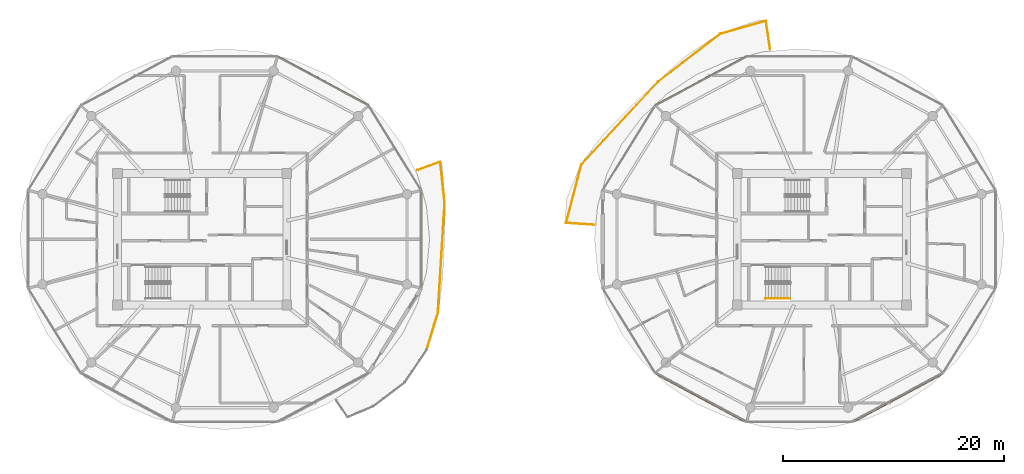
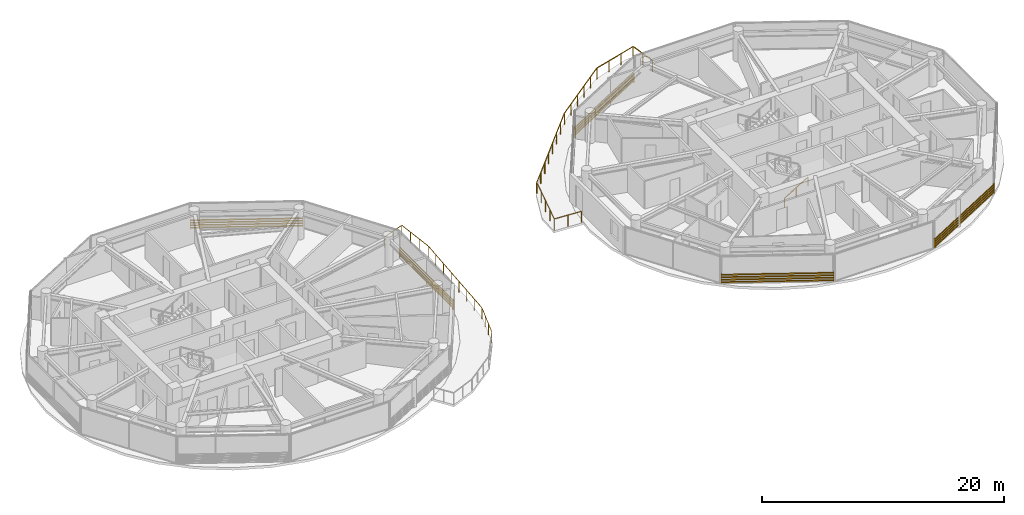
# One storey, part 21 of 22: 5 shading devices, 4 railings.
"""IFC4 building model written with IfcOpenShell, lengths in metres."""

from ifc_helpers import new_model, si_unit, direction, frame, origin, origin_2d, place, context, subcontext, project, spatial, rectangle, extrude, source, transform, mapped, material, type_object, type_shapes, element, save


model = new_model("IFC4")

# Units and contexts
model_context = context("Model", 3, precision=1e-05, world=origin(), true_north=direction((0.0, 1.0)))
body_context = subcontext(model_context, "Body", "Model", "MODEL_VIEW")
ifc_project = project(units=[si_unit("LENGTHUNIT", "METRE"), si_unit("AREAUNIT", "SQUARE_METRE"), si_unit("VOLUMEUNIT", "CUBIC_METRE"), si_unit("PLANEANGLEUNIT", "RADIAN"), si_unit("MASSUNIT", "GRAM", prefix="KILO")], contexts=[model_context])

# Site, building, storey
site_placement = place(None, origin())
site = spatial("IfcSite", under=ifc_project, at=site_placement, CompositionType="ELEMENT")
building_placement = place(site_placement, origin())
building = spatial("IfcBuilding", under=site, at=building_placement, Name="Norrkilde Senior Care Towers", CompositionType="ELEMENT")
storey_placement = place(building_placement, frame((0.0, 0.0, 120.64990234375)))
storey = spatial("IfcBuildingStorey", under=building, at=storey_placement, Name="L37", CompositionType="ELEMENT", Elevation=120.64990234375)

# Railings
ifc_material_1 = material(Name="Anodised Aluminium", Category="aluminium")
railing_type_1 = type_object("IfcRailingType", Name="Balcony Swirl Ribbon Guardrail 1150", PredefinedType="GUARDRAIL", material=ifc_material_1)
railing_1_placement = place(storey_placement, frame((6.274658203125, 6.767333984375, 0.0)))
element("IfcRailing", 1, at=railing_1_placement, inside=storey, type_object=railing_type_1, Name="L37 Perimeter Safety Guard 01", PredefinedType="GUARDRAIL", context=body_context, shape_type="SweptSolid", body=[
    extrude(rectangle(XDim=0.048095703125, YDim=0.048095703125, at=origin_2d()), frame((0.0, 0.0, 1.1259765625), z_axis=(0.680490514807, 0.732756889601, 0.0), x_axis=(-0.732756889601, 0.680490514807, 0.0)), (0.0, 0.0, 1.0), 10.1748046875),
    extrude(rectangle(XDim=0.048095703125, YDim=0.048095703125, at=origin_2d()), frame((6.984130859375, 7.510498046875, 1.1259765625), z_axis=(0.792873317416, 0.609386496838, 0.0), x_axis=(-0.609386496838, 0.792873317416, 0.0)), (0.0, 0.0, 1.0), 6.978271484375),
    extrude(rectangle(XDim=0.048095703125, YDim=0.048095703125, at=origin_2d()), frame((12.588623046875, 11.799072265625, 1.1259765625), z_axis=(0.9617388568, 0.273967828989, 0.0), x_axis=(-0.273967828989, 0.9617388568, 0.0)), (0.0, 0.0, 1.0), 4.19921875),
    extrude(rectangle(XDim=0.048095703125, YDim=0.048095703125, at=origin_2d()), frame((16.672607421875, 12.920166015625, 1.1259765625), z_axis=(0.146804939768, -0.989165461214, 0.0), x_axis=(0.989165461214, 0.146804939768, 0.0)), (0.0, 0.0, 1.0), 2.54833984375),
    extrude(rectangle(XDim=0.0419921875, YDim=0.0419921875, at=origin_2d()), origin(), (0.0, 0.0, 1.0), 1.099853515625),
    extrude(rectangle(XDim=0.0419921875, YDim=0.0419921875, at=origin_2d()), frame((0.9931640625, 1.0693359375, 0.0)), (0.0, 0.0, 1.0), 1.099853515625),
    extrude(rectangle(XDim=0.0419921875, YDim=0.0419921875, at=origin_2d()), frame((1.986083984375, 2.138671875, 0.0)), (0.0, 0.0, 1.0), 1.099853515625),
    extrude(rectangle(XDim=0.0419921875, YDim=0.0419921875, at=origin_2d()), frame((2.979248046875, 3.2080078125, 0.0)), (0.0, 0.0, 1.0), 1.099853515625),
    extrude(rectangle(XDim=0.0419921875, YDim=0.0419921875, at=origin_2d()), frame((3.972412109375, 4.277587890625, 0.0)), (0.0, 0.0, 1.0), 1.099853515625),
    extrude(rectangle(XDim=0.0419921875, YDim=0.0419921875, at=origin_2d()), frame((4.965576171875, 5.346923828125, 0.0)), (0.0, 0.0, 1.0), 1.099853515625),
    extrude(rectangle(XDim=0.0419921875, YDim=0.0419921875, at=origin_2d()), frame((5.95849609375, 6.416259765625, 0.0)), (0.0, 0.0, 1.0), 1.099853515625),
    extrude(rectangle(XDim=0.0419921875, YDim=0.0419921875, at=origin_2d()), frame((6.95166015625, 7.485595703125, 0.0)), (0.0, 0.0, 1.0), 1.099853515625),
    extrude(rectangle(XDim=0.0419921875, YDim=0.0419921875, at=origin_2d()), frame((8.0712890625, 8.345947265625, 0.0)), (0.0, 0.0, 1.0), 1.099853515625),
    extrude(rectangle(XDim=0.0419921875, YDim=0.0419921875, at=origin_2d()), frame((9.190673828125, 9.20654296875, 0.0)), (0.0, 0.0, 1.0), 1.099853515625),
    extrude(rectangle(XDim=0.0419921875, YDim=0.0419921875, at=origin_2d()), frame((10.310302734375, 10.06689453125, 0.0)), (0.0, 0.0, 1.0), 1.099853515625),
    extrude(rectangle(XDim=0.0419921875, YDim=0.0419921875, at=origin_2d()), frame((11.4296875, 10.927490234375, 0.0)), (0.0, 0.0, 1.0), 1.099853515625),
    extrude(rectangle(XDim=0.0419921875, YDim=0.0419921875, at=origin_2d()), frame((12.54931640625, 11.787841796875, 0.0)), (0.0, 0.0, 1.0), 1.099853515625),
    extrude(rectangle(XDim=0.0419921875, YDim=0.0419921875, at=origin_2d()), frame((13.921630859375, 12.1787109375, 0.0)), (0.0, 0.0, 1.0), 1.099853515625),
    extrude(rectangle(XDim=0.0419921875, YDim=0.0419921875, at=origin_2d()), frame((15.294189453125, 12.56982421875, 0.0)), (0.0, 0.0, 1.0), 1.099853515625),
    extrude(rectangle(XDim=0.0419921875, YDim=0.0419921875, at=origin_2d()), frame((16.66650390625, 12.960693359375, 0.0)), (0.0, 0.0, 1.0), 1.099853515625),
    extrude(rectangle(XDim=0.0419921875, YDim=0.0419921875, at=origin_2d()), frame((16.8564453125, 11.68017578125, 0.0)), (0.0, 0.0, 1.0), 1.099853515625),
    extrude(rectangle(XDim=0.0419921875, YDim=0.0419921875, at=origin_2d()), frame((17.046630859375, 10.3994140625, 0.0)), (0.0, 0.0, 1.0), 1.099853515625),
])
railing_2_placement = place(storey_placement, frame((7.392333984375, 1.30908203125, 0.0)))
element("IfcRailing", 2, at=railing_2_placement, inside=storey, type_object=railing_type_1, Name="L37 Perimeter Safety Guard 02", PredefinedType="GUARDRAIL", context=body_context, shape_type="SweptSolid", body=[
    extrude(rectangle(XDim=0.048095703125, YDim=0.048095703125, at=origin_2d()), frame((0.0, 0.0, 1.1259765625), z_axis=(-0.997816890544, 0.066041297269, 0.0), x_axis=(-0.066041297269, -0.997816890544, 0.0)), (0.0, 0.0, 1.0), 2.46923828125),
    extrude(rectangle(XDim=0.048095703125, YDim=0.048095703125, at=origin_2d()), frame((-2.494384765625, 0.205322265625, 1.1259765625), z_axis=(0.253502561029, 0.967334715366, 0.0), x_axis=(-0.967334715366, 0.253502561029, 0.0)), (0.0, 0.0, 1.0), 5.430419921875),
    extrude(rectangle(XDim=0.0419921875, YDim=0.0419921875, at=origin_2d()), origin(), (0.0, 0.0, 1.0), 1.099853515625),
    extrude(rectangle(XDim=0.0419921875, YDim=0.0419921875, at=origin_2d()), frame((-1.25244140625, 0.0830078125, 0.0)), (0.0, 0.0, 1.0), 1.099853515625),
    extrude(rectangle(XDim=0.0419921875, YDim=0.0419921875, at=origin_2d()), frame((-2.504638671875, 0.165771484375, 0.0)), (0.0, 0.0, 1.0), 1.099853515625),
    extrude(rectangle(XDim=0.0419921875, YDim=0.0419921875, at=origin_2d()), frame((-2.157958984375, 1.48876953125, 0.0)), (0.0, 0.0, 1.0), 1.099853515625),
    extrude(rectangle(XDim=0.0419921875, YDim=0.0419921875, at=origin_2d()), frame((-1.81103515625, 2.81201171875, 0.0)), (0.0, 0.0, 1.0), 1.099853515625),
    extrude(rectangle(XDim=0.0419921875, YDim=0.0419921875, at=origin_2d()), frame((-1.46435546875, 4.13525390625, 0.0)), (0.0, 0.0, 1.0), 1.099853515625),
    extrude(rectangle(XDim=0.0419921875, YDim=0.0419921875, at=origin_2d()), frame((-1.11767578125, 5.458251953125, 0.0)), (0.0, 0.0, 1.0), 1.099853515625),
])
railing_3_placement = place(storey_placement, frame((-8.54443359375, 6.24169921875, 0.0)))
element("IfcRailing", 3, at=railing_3_placement, inside=storey, type_object=railing_type_1, Name="L37 Perimeter Safety Guard 04", PredefinedType="GUARDRAIL", context=body_context, shape_type="SweptSolid", body=[
    extrude(rectangle(XDim=0.048095703125, YDim=0.048095703125, at=origin_2d()), frame((0.0, 0.0, 1.1259765625), z_axis=(0.939829147866, 0.341644805054, 0.0), x_axis=(-0.341644805054, 0.939829147866, 0.0)), (0.0, 0.0, 1.0), 2.153564453125),
    extrude(rectangle(XDim=0.048095703125, YDim=0.048095703125, at=origin_2d()), frame((2.06689453125, 0.709228515625, 1.1259765625), z_axis=(0.10838231965, -0.994109286139, 0.0), x_axis=(0.994109286139, 0.10838231965, 0.0)), (0.0, 0.0, 1.0), 3.619140625),
    extrude(rectangle(XDim=0.048095703125, YDim=0.048095703125, at=origin_2d()), frame((2.461181640625, -2.97021484375, 1.1259765625), z_axis=(-0.061240106433, -0.998123063236, 0.0), x_axis=(0.998123063236, -0.061240106433, 0.0)), (0.0, 0.0, 1.0), 9.880859375),
    extrude(rectangle(XDim=0.048095703125, YDim=0.048095703125, at=origin_2d()), frame((1.841796875, -12.912353515625, 1.1259765625), z_axis=(-0.289574813175, -0.957155383193, 0.0), x_axis=(0.957155383193, -0.289574813175, 0.0)), (0.0, 0.0, 1.0), 3.468017578125),
    extrude(rectangle(XDim=0.0419921875, YDim=0.0419921875, at=origin_2d()), origin(), (0.0, 0.0, 1.0), 1.099853515625),
    extrude(rectangle(XDim=0.0419921875, YDim=0.0419921875, at=origin_2d()), frame((1.03125, 0.375, 0.0)), (0.0, 0.0, 1.0), 1.099853515625),
    extrude(rectangle(XDim=0.0419921875, YDim=0.0419921875, at=origin_2d()), frame((2.0625, 0.749755859375, 0.0)), (0.0, 0.0, 1.0), 1.099853515625),
    extrude(rectangle(XDim=0.0419921875, YDim=0.0419921875, at=origin_2d()), frame((2.1962890625, -0.4765625, 0.0)), (0.0, 0.0, 1.0), 1.099853515625),
    extrude(rectangle(XDim=0.0419921875, YDim=0.0419921875, at=origin_2d()), frame((2.329833984375, -1.703125, 0.0)), (0.0, 0.0, 1.0), 1.099853515625),
    extrude(rectangle(XDim=0.0419921875, YDim=0.0419921875, at=origin_2d()), frame((2.463623046875, -2.929443359375, 0.0)), (0.0, 0.0, 1.0), 1.099853515625),
    extrude(rectangle(XDim=0.0419921875, YDim=0.0419921875, at=origin_2d()), frame((2.37646484375, -4.35009765625, 0.0)), (0.0, 0.0, 1.0), 1.099853515625),
    extrude(rectangle(XDim=0.0419921875, YDim=0.0419921875, at=origin_2d()), frame((2.289306640625, -5.7705078125, 0.0)), (0.0, 0.0, 1.0), 1.099853515625),
    extrude(rectangle(XDim=0.0419921875, YDim=0.0419921875, at=origin_2d()), frame((2.2021484375, -7.191162109375, 0.0)), (0.0, 0.0, 1.0), 1.099853515625),
    extrude(rectangle(XDim=0.0419921875, YDim=0.0419921875, at=origin_2d()), frame((2.114990234375, -8.611572265625, 0.0)), (0.0, 0.0, 1.0), 1.099853515625),
    extrude(rectangle(XDim=0.0419921875, YDim=0.0419921875, at=origin_2d()), frame((2.02783203125, -10.0322265625, 0.0)), (0.0, 0.0, 1.0), 1.099853515625),
    extrude(rectangle(XDim=0.0419921875, YDim=0.0419921875, at=origin_2d()), frame((1.940673828125, -11.45263671875, 0.0)), (0.0, 0.0, 1.0), 1.099853515625),
    extrude(rectangle(XDim=0.0419921875, YDim=0.0419921875, at=origin_2d()), frame((1.853515625, -12.873291015625, 0.0)), (0.0, 0.0, 1.0), 1.099853515625),
    extrude(rectangle(XDim=0.0419921875, YDim=0.0419921875, at=origin_2d()), frame((1.514892578125, -13.992919921875, 0.0)), (0.0, 0.0, 1.0), 1.099853515625),
    extrude(rectangle(XDim=0.0419921875, YDim=0.0419921875, at=origin_2d()), frame((1.176025390625, -15.1123046875, 0.0)), (0.0, 0.0, 1.0), 1.099853515625),
    extrude(rectangle(XDim=0.0419921875, YDim=0.0419921875, at=origin_2d()), frame((0.83740234375, -16.23193359375, 0.0)), (0.0, 0.0, 1.0), 1.099853515625),
])
ifc_material_2 = material(Name="Nordic Ash Timber", Category="wood")
railing_type_2 = type_object("IfcRailingType", Name="Wall and Stair Handrail 900", PredefinedType="HANDRAIL", material=ifc_material_2)
railing_4_placement = place(storey_placement, frame((22.89990234375, -5.35009765625, 0.16943359375)))
element("IfcRailing", 4, at=railing_4_placement, inside=storey, type_object=railing_type_2, Name="L37 ST-E2 stair handrail 1", PredefinedType="HANDRAIL", context=body_context, shape_type="SweptSolid", body=[
    extrude(rectangle(XDim=0.048095703125, YDim=0.048095703125, at=origin_2d()), frame((0.0, 0.0, 0.8759765625), z_axis=(0.855512035549, 0.0, 0.517782924622), x_axis=(0.0, 1.0, 0.0)), (0.0, 0.0, 1.0), 2.618408203125),
    extrude(rectangle(XDim=0.0419921875, YDim=0.0419921875, at=origin_2d()), origin(), (0.0, 0.0, 1.0), 0.849853515625),
    extrude(rectangle(XDim=0.0419921875, YDim=0.0419921875, at=origin_2d()), frame((1.1201171875, 0.0, 0.677734375)), (0.0, 0.0, 1.0), 0.849853515625),
    extrude(rectangle(XDim=0.0419921875, YDim=0.0419921875, at=origin_2d()), frame((2.239990234375, 0.0, 1.355712890625)), (0.0, 0.0, 1.0), 0.849853515625),
])

# Shading devices
ifc_material_3 = material(Name="Architectural Terracotta", Category="masonry")
shading_device_type = type_object("IfcShadingDeviceType", Name="Horizontal Terracotta Baguette Rack", PredefinedType="USERDEFINED", material=ifc_material_3)
shared_shape_1 = source(origin(), body_context, "Body", "SweptSolid", [
    extrude(rectangle(XDim=0.070068359375, YDim=0.110107421875, at=origin_2d()), frame((0.0, 0.090087890625, 0.125), z_axis=(1.0, 0.0, 0.0), x_axis=(0.0, 1.0, 0.0)), (0.0, 0.0, 1.0), 9.3505859375),
    extrude(rectangle(XDim=0.070068359375, YDim=0.110107421875, at=origin_2d()), frame((0.0, 0.090087890625, 0.375), z_axis=(1.0, 0.0, 0.0), x_axis=(0.0, 1.0, 0.0)), (0.0, 0.0, 1.0), 9.3505859375),
    extrude(rectangle(XDim=0.070068359375, YDim=0.110107421875, at=origin_2d()), frame((0.0, 0.090087890625, 0.625), z_axis=(1.0, 0.0, 0.0), x_axis=(0.0, 1.0, 0.0)), (0.0, 0.0, 1.0), 9.3505859375),
    extrude(rectangle(XDim=0.070068359375, YDim=0.110107421875, at=origin_2d()), frame((0.0, 0.090087890625, 0.875), z_axis=(1.0, 0.0, 0.0), x_axis=(0.0, 1.0, 0.0)), (0.0, 0.0, 1.0), 9.3505859375),
    extrude(rectangle(XDim=0.050048828125, YDim=0.1552734375, at=origin_2d()), frame((0.02490234375, 0.047607421875, 0.0)), (0.0, 0.0, 1.0), 1.0),
    extrude(rectangle(XDim=0.050048828125, YDim=0.1552734375, at=origin_2d()), frame((9.32568359375, 0.047607421875, 0.0)), (0.0, 0.0, 1.0), 1.0),
])
for number, where, z_axis, x_axis, name in (
    (5, (-21.19287109375, 16.498046875, 0.080078125), (0.0, 0.0, 1.0), (0.881174934726, -0.472767624021, 0.0), "L37 Drum W Terracotta Baguette Screen 01"),
    (6, (12.953369140625, 12.077392578125, 0.080078125), (0.0, 0.0, 1.0), (0.881174934726, 0.472767624021, 0.0), "L37 Drum E Terracotta Baguette Screen 03"),
    (7, (21.19287109375, -16.498046875, 0.080078125), (0.0, 0.0, 1.0), (-0.881174934726, 0.472767624021, 0.0), "L37 Drum E Terracotta Baguette Screen 07"),
    (8, (38.946533203125, -12.077392578125, 0.080078125), (0.0, 0.0, 1.0), (-0.881174934726, -0.472767624021, 0.0), "L37 Drum E Terracotta Baguette Screen 09"),
):
    element("IfcShadingDevice", number, at=place(storey_placement, frame(where, z_axis=z_axis, x_axis=x_axis)), inside=storey, type_object=shading_device_type, Name=name, ObjectType="BAGUETTE", PredefinedType="USERDEFINED", context=body_context, shape_type="MappedRepresentation", body=[
        mapped(shared_shape_1, transform((0.0, 0.0, 0.0), x_axis=(1.0, 0.0, 0.0), y_axis=(0.0, 1.0, 0.0), z_axis=(0.0, 0.0, 1.0), scale=1.0)),
    ])
shared_shape_2 = source(origin(), body_context, "Body", "SweptSolid", [
    extrude(rectangle(XDim=0.070068359375, YDim=0.110107421875, at=origin_2d()), frame((0.0, 0.090087890625, 0.125), z_axis=(1.0, 0.0, 0.0), x_axis=(0.0, 1.0, 0.0)), (0.0, 0.0, 1.0), 8.84130859375),
    extrude(rectangle(XDim=0.070068359375, YDim=0.110107421875, at=origin_2d()), frame((0.0, 0.090087890625, 0.375), z_axis=(1.0, 0.0, 0.0), x_axis=(0.0, 1.0, 0.0)), (0.0, 0.0, 1.0), 8.84130859375),
    extrude(rectangle(XDim=0.070068359375, YDim=0.110107421875, at=origin_2d()), frame((0.0, 0.090087890625, 0.625), z_axis=(1.0, 0.0, 0.0), x_axis=(0.0, 1.0, 0.0)), (0.0, 0.0, 1.0), 8.84130859375),
    extrude(rectangle(XDim=0.070068359375, YDim=0.110107421875, at=origin_2d()), frame((0.0, 0.090087890625, 0.875), z_axis=(1.0, 0.0, 0.0), x_axis=(0.0, 1.0, 0.0)), (0.0, 0.0, 1.0), 8.84130859375),
    extrude(rectangle(XDim=0.050048828125, YDim=0.1552734375, at=origin_2d()), frame((0.02490234375, 0.047607421875, 0.0)), (0.0, 0.0, 1.0), 1.0),
    extrude(rectangle(XDim=0.050048828125, YDim=0.1552734375, at=origin_2d()), frame((8.81640625, 0.047607421875, 0.0)), (0.0, 0.0, 1.0), 1.0),
])
type_shapes(shading_device_type, [shared_shape_1, shared_shape_2])
shading_device_placement = place(storey_placement, frame((-8.1962890625, 4.420654296875, 0.080078125), z_axis=(0.0, 0.0, 1.0), x_axis=(0.0, -1.0, 0.0)))
element("IfcShadingDevice", 9, at=shading_device_placement, inside=storey, type_object=shading_device_type, Name="L37 Drum W Terracotta Baguette Screen 11", ObjectType="BAGUETTE", PredefinedType="USERDEFINED", context=body_context, shape_type="MappedRepresentation", body=[
    mapped(shared_shape_2, transform((0.0, 0.0, 0.0), x_axis=(1.0, 0.0, 0.0), y_axis=(0.0, 1.0, 0.0), z_axis=(0.0, 0.0, 1.0), scale=1.0)),
])

save(model, "model.ifc")
